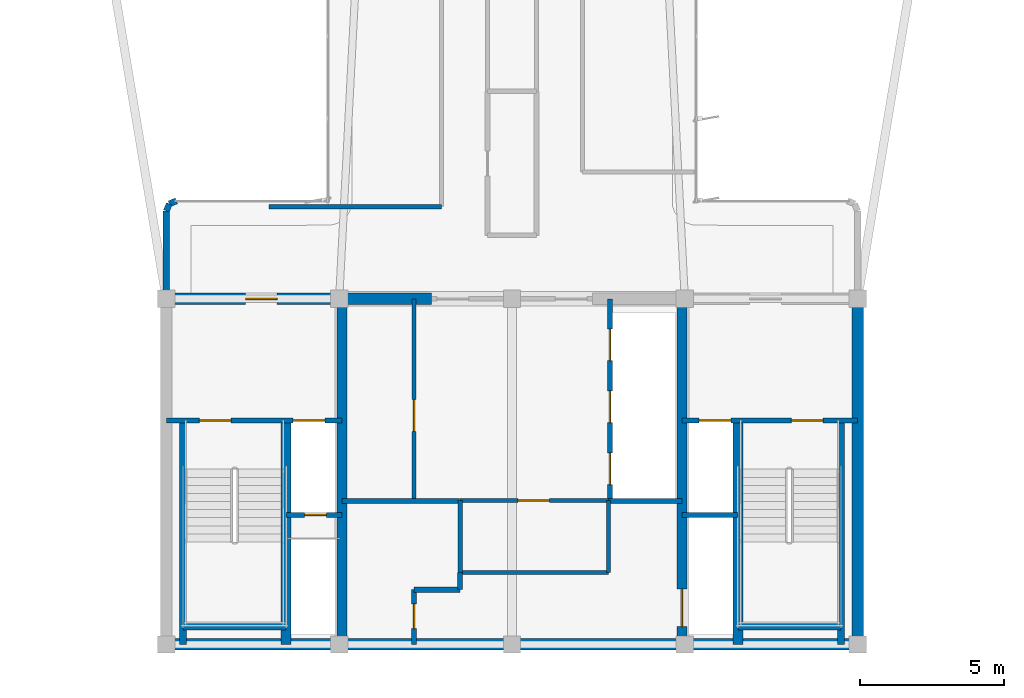
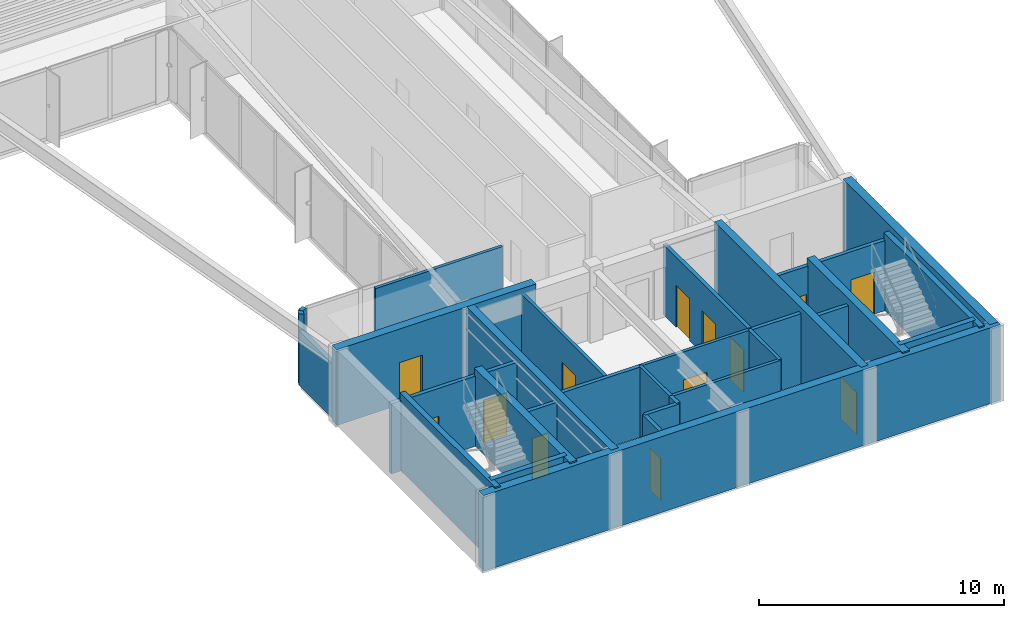
# One storey, part 10 of 16: 30 walls, 13 doors, 13 openings.
"""IFC4 building model written with IfcOpenShell, lengths in metres."""

from ifc_helpers import new_model, si_unit, direction, frame, frame_2d, origin, origin_2d, place, context, subcontext, project, spatial, rectangle, extrude, source, transform, mapped, material, layer, layer_set, type_object, element, fill, save


model = new_model("IFC4")

# Units and contexts
model_context = context("Model", 3, precision=1e-05, world=origin(), true_north=direction((0.0, 1.0)))
body_context = subcontext(model_context, "Body", "Model", "MODEL_VIEW")
ifc_project = project(units=[si_unit("LENGTHUNIT", "METRE"), si_unit("AREAUNIT", "SQUARE_METRE"), si_unit("VOLUMEUNIT", "CUBIC_METRE"), si_unit("PLANEANGLEUNIT", "RADIAN"), si_unit("MASSUNIT", "GRAM", prefix="KILO")], contexts=[model_context])

# Site, building, storey
site_placement = place(None, origin())
site = spatial("IfcSite", under=ifc_project, at=site_placement, CompositionType="ELEMENT")
building_placement = place(site_placement, origin())
building = spatial("IfcBuilding", under=site, at=building_placement, Name="Brelvock Crest Care Tower", CompositionType="ELEMENT")
storey_placement = place(building_placement, frame((0.0, 0.0, 230.580078125)))
storey = spatial("IfcBuildingStorey", under=building, at=storey_placement, Name="L58", CompositionType="ELEMENT", Elevation=230.580078125)

# Walls
ifc_material_1 = material(Name="Concrete S65 (65 MPa)", Category="concrete")
ifc_layer_1 = layer(ifc_material_1, 0.39990234375, Name="WL-CS4")
ifc_layer_set_1 = layer_set([ifc_layer_1], Name="Concrete S65 (65 MPa)")
wall_type_1 = type_object("IfcWallType", Name="WL-CS4", PredefinedType="SHEAR", material=ifc_layer_set_1)
wall_1_placement = place(storey_placement, frame((48.199951171875, 6.0, 0.0), z_axis=(0.0, 0.0, 1.0), x_axis=(-1.0, 0.0, 0.0)))
element("IfcWall", 1, at=wall_1_placement, inside=storey, type_object=wall_type_1, Name="L58 Core South Shear Wall", PredefinedType="SHEAR", context=body_context, shape_type="SweptSolid", body=[
    extrude(rectangle(XDim=24.39990234375, YDim=0.39990234375, at=frame_2d((12.199951171875, 0.0))), origin(), (0.0, 0.0, 1.0), 3.780029296875),
])
wall_2_placement = place(storey_placement, frame((48.0, 18.0, 0.0), z_axis=(0.0, 0.0, 1.0), x_axis=(0.0, -1.0, 0.0)))
element("IfcWall", 2, at=wall_2_placement, inside=storey, type_object=wall_type_1, Name="L58 Core East Shear Wall", PredefinedType="SHEAR", context=body_context, shape_type="SweptSolid", body=[
    extrude(rectangle(XDim=12.0, YDim=0.39990234375, at=frame_2d((6.0, 0.0))), origin(), (0.0, 0.0, 1.0), 3.780029296875),
])

# Wall, opening, door
wall_3_placement = place(storey_placement, frame((23.800048828125, 18.0, 0.0), z_axis=(0.0, 0.0, 1.0), x_axis=(1.0, 0.0, 0.0)))
wall_3 = element("IfcWall", 3, at=wall_3_placement, inside=storey, type_object=wall_type_1, Name="L58 Core North-West Shear Wall", PredefinedType="SHEAR", context=body_context, shape_type="SweptSolid", body=[
    extrude(rectangle(XDim=9.39990234375, YDim=0.39990234375, at=frame_2d((4.699951171875, 0.0))), origin(), (0.0, 0.0, 1.0), 3.780029296875),
])
opening_1_placement = place(wall_3_placement, frame((2.949951171875, 0.0, 0.0)))
opening_1 = element("IfcOpeningElement", 4, at=opening_1_placement, cuts=wall_3, Name="Opening FD-1", PredefinedType="OPENING", context=body_context, shape_type="SweptSolid", body=[
    extrude(rectangle(XDim=1.10009765625, YDim=2.10009765625, at=origin_2d()), frame((0.550048828125, 0.2099609375, 1.050048828125), z_axis=(0.0, -1.0, 0.0), x_axis=(1.0, 0.0, 0.0)), (0.0, 0.0, 1.0), 0.419921875),
])
ifc_material_2 = material(Name="Steel Grade 350", Category="steel")
door_type_1 = type_object("IfcDoorType", Name="DR-FFL1", OperationType="NOTDEFINED", PredefinedType="DOOR", material=ifc_material_2)
shared_shape_1 = source(origin(), body_context, "Body", "SweptSolid", [
    extrude(rectangle(XDim=1.10009765625, YDim=2.10009765625, at=origin_2d()), frame((0.550048828125, 0.02490234375, 1.050048828125), z_axis=(0.0, -1.0, 0.0), x_axis=(1.0, 0.0, 0.0)), (0.0, 0.0, 1.0), 0.050048828125),
])
door_1_placement = place(opening_1_placement, origin())
door_1 = element("IfcDoor", 5, at=door_1_placement, inside=storey, type_object=door_type_1, Name="L58 Firefighting Lobby FFL-1 Exit Door", OperationType="SINGLE_SWING_LEFT", OverallHeight=2.10009765625, OverallWidth=1.10009765625, PredefinedType="DOOR", context=body_context, shape_type="MappedRepresentation", body=[
    mapped(shared_shape_1, transform((0.0, 0.0, 0.0), x_axis=(1.0, 0.0, 0.0), y_axis=(0.0, 1.0, 0.0), z_axis=(0.0, 0.0, 1.0), scale=1.0)),
])
fill(opening_1, door_1)

# Wall
ifc_material_3 = material(Name="Concrete S80 (80 MPa)", Category="concrete")
ifc_layer_2 = layer(ifc_material_3, 0.35009765625, Name="WL-CS5")
ifc_layer_set_2 = layer_set([ifc_layer_2], Name="Concrete S80 (80 MPa)")
wall_type_2 = type_object("IfcWallType", Name="WL-CS5", PredefinedType="SHEAR", material=ifc_layer_set_2)
wall_4_placement = place(storey_placement, frame((30.10009765625, 6.0, 0.0), z_axis=(0.0, 0.0, 1.0), x_axis=(0.0, 1.0, 0.0)))
element("IfcWall", 6, at=wall_4_placement, inside=storey, type_object=wall_type_2, Name="L58 Core Internal Web Wall West", PredefinedType="SHEAR", context=body_context, shape_type="SweptSolid", body=[
    extrude(rectangle(XDim=12.0, YDim=0.35009765625, at=frame_2d((6.0, 0.0))), origin(), (0.0, 0.0, 1.0), 3.780029296875),
])

# Wall, opening, door
wall_5_placement = place(storey_placement, frame((41.89990234375, 18.0, 0.0), z_axis=(0.0, 0.0, 1.0), x_axis=(0.0, -1.0, 0.0)))
wall_5 = element("IfcWall", 7, at=wall_5_placement, inside=storey, type_object=wall_type_2, Name="L58 Core Internal Web Wall East", PredefinedType="SHEAR", context=body_context, shape_type="SweptSolid", body=[
    extrude(rectangle(XDim=12.0, YDim=0.35009765625, at=frame_2d((6.0, 0.0))), origin(), (0.0, 0.0, 1.0), 3.780029296875),
])
opening_2_placement = place(wall_5_placement, frame((10.080078125, 0.0, 0.0)))
opening_2 = element("IfcOpeningElement", 8, at=opening_2_placement, cuts=wall_5, Name="Opening LD-S", PredefinedType="OPENING", context=body_context, shape_type="SweptSolid", body=[
    extrude(rectangle(XDim=1.300048828125, YDim=2.10009765625, at=origin_2d()), frame((0.64990234375, 0.18505859375, 1.050048828125), z_axis=(0.0, -1.0, 0.0), x_axis=(1.0, 0.0, 0.0)), (0.0, 0.0, 1.0), 0.3701171875),
])
door_type_2 = type_object("IfcDoorType", Name="DR-LDS1", OperationType="NOTDEFINED", PredefinedType="DOOR", material=ifc_material_2)
shared_shape_2 = source(origin(), body_context, "Body", "SweptSolid", [
    extrude(rectangle(XDim=1.300048828125, YDim=2.10009765625, at=origin_2d()), frame((0.64990234375, 0.02490234375, 1.050048828125), z_axis=(0.0, -1.0, 0.0), x_axis=(1.0, 0.0, 0.0)), (0.0, 0.0, 1.0), 0.050048828125),
])
door_2_placement = place(opening_2_placement, origin())
door_2 = element("IfcDoor", 9, at=door_2_placement, inside=storey, type_object=door_type_2, Name="L58 Clinical Bed Lift SL-1 Landing Door", OperationType="SLIDING_TO_LEFT", OverallHeight=2.10009765625, OverallWidth=1.300048828125, PredefinedType="DOOR", context=body_context, shape_type="MappedRepresentation", body=[
    mapped(shared_shape_2, transform((0.0, 0.0, 0.0), x_axis=(1.0, 0.0, 0.0), y_axis=(0.0, 1.0, 0.0), z_axis=(0.0, 0.0, 1.0), scale=1.0)),
])
fill(opening_2, door_2)

# Walls
for number, where, z_axis, x_axis, name in (
    (10, (28.14990234375, 6.0, 0.0), (0.0, 0.0, 1.0), (0.0, 1.0, 0.0), "L58 Core Stair ST-1 East Shear Wall"),
    (11, (43.85009765625, 6.0, 0.0), (0.0, 0.0, 1.0), (0.0, 1.0, 0.0), "L58 Core Stair ST-2 West Shear Wall"),
):
    element("IfcWall", number, at=place(storey_placement, frame(where, z_axis=z_axis, x_axis=x_axis)), inside=storey, type_object=wall_type_2, Name=name, PredefinedType="SHEAR", context=body_context, shape_type="SweptSolid", body=[
        extrude(rectangle(XDim=7.780029296875, YDim=0.35009765625, at=frame_2d((3.89013671875, 0.0))), origin(), (0.0, 0.0, 1.0), 3.849853515625),
    ])
ifc_layer_3 = layer(ifc_material_3, 0.25, Name="WL-CS6")
ifc_layer_set_3 = layer_set([ifc_layer_3], Name="Concrete S80 (80 MPa)")
wall_type_3 = type_object("IfcWallType", Name="WL-CS6", PredefinedType="SHEAR", material=ifc_layer_set_3)
wall_6_placement = place(storey_placement, frame((24.580078125, 6.0, 0.0), z_axis=(0.0, 0.0, 1.0), x_axis=(0.0, 1.0, 0.0)))
element("IfcWall", 12, at=wall_6_placement, inside=storey, type_object=wall_type_3, Name="L58 Core Stair ST-1 West Shear Wall", PredefinedType="SHEAR", context=body_context, shape_type="SweptSolid", body=[
    extrude(rectangle(XDim=7.780029296875, YDim=0.25, at=frame_2d((3.89013671875, 0.0))), origin(), (0.0, 0.0, 1.0), 3.849853515625),
])
wall_7_placement = place(storey_placement, frame((24.580078125, 6.6201171875, 0.0), z_axis=(0.0, 0.0, 1.0), x_axis=(1.0, 0.0, 0.0)))
element("IfcWall", 13, at=wall_7_placement, inside=storey, type_object=wall_type_3, Name="L58 Core Stair ST-1 South Shear Wall", PredefinedType="SHEAR", context=body_context, shape_type="SweptSolid", body=[
    extrude(rectangle(XDim=3.56982421875, YDim=0.25, at=frame_2d((1.784912109375, 0.0))), origin(), (0.0, 0.0, 1.0), 3.849853515625),
])
wall_8_placement = place(storey_placement, frame((47.419921875, 6.0, 0.0), z_axis=(0.0, 0.0, 1.0), x_axis=(0.0, 1.0, 0.0)))
element("IfcWall", 14, at=wall_8_placement, inside=storey, type_object=wall_type_3, Name="L58 Core Stair ST-2 East Shear Wall", PredefinedType="SHEAR", context=body_context, shape_type="SweptSolid", body=[
    extrude(rectangle(XDim=7.780029296875, YDim=0.25, at=frame_2d((3.89013671875, 0.0))), origin(), (0.0, 0.0, 1.0), 3.849853515625),
])
wall_9_placement = place(storey_placement, frame((43.85009765625, 6.6201171875, 0.0), z_axis=(0.0, 0.0, 1.0), x_axis=(1.0, 0.0, 0.0)))
element("IfcWall", 15, at=wall_9_placement, inside=storey, type_object=wall_type_3, Name="L58 Core Stair ST-2 South Shear Wall", PredefinedType="SHEAR", context=body_context, shape_type="SweptSolid", body=[
    extrude(rectangle(XDim=3.56982421875, YDim=0.25, at=frame_2d((1.784912109375, 0.0))), origin(), (0.0, 0.0, 1.0), 3.849853515625),
])
ifc_material_4 = material(Name="Precast concrete N40 (40 MPa)", Category="concrete")
ifc_layer_4 = layer(ifc_material_4, 0.215087890625, Name="WL-EX2")
ifc_layer_set_4 = layer_set([ifc_layer_4], Name="Precast concrete N40 (40 MPa)")
wall_type_4 = type_object("IfcWallType", Name="WL-EX2", PredefinedType="SOLIDWALL", material=ifc_layer_set_4)
wall_10_placement = place(storey_placement, frame((24.0, 18.280029296875, 0.0), z_axis=(0.0, 0.0, 1.0), x_axis=(0.0, 1.0, 0.0)))
element("IfcWall", 16, at=wall_10_placement, inside=storey, type_object=wall_type_4, Name="L58 Rounded Corner Wall 07", PredefinedType="SOLIDWALL", context=body_context, shape_type="SweptSolid", body=[
    extrude(rectangle(XDim=2.77001953125, YDim=0.215087890625, at=frame_2d((1.385009765625, 0.0))), origin(), (0.0, 0.0, 1.0), 2.718017578125),
])
wall_11_placement = place(storey_placement, frame((24.0, 21.050048828125, 0.0), z_axis=(0.0, 0.0, 1.0), x_axis=(0.382673670509, 0.923883575944, 0.0)))
element("IfcWall", 17, at=wall_11_placement, inside=storey, type_object=wall_type_4, Name="L58 Rounded Corner Wall 08", PredefinedType="SOLIDWALL", context=body_context, shape_type="SweptSolid", body=[
    extrude(rectangle(XDim=0.26806640625, YDim=0.215087890625, at=frame_2d((0.134033203125, 0.0))), origin(), (0.0, 0.0, 1.0), 3.530029296875),
])
wall_12_placement = place(storey_placement, frame((24.1025390625, 21.297607421875, 0.0), z_axis=(0.0, 0.0, 1.0), x_axis=(0.924205486139, 0.381895560841, 0.0)))
element("IfcWall", 18, at=wall_12_placement, inside=storey, type_object=wall_type_4, Name="L58 Rounded Corner Wall 09", PredefinedType="SOLIDWALL", context=body_context, shape_type="SweptSolid", body=[
    extrude(rectangle(XDim=0.267822265625, YDim=0.215087890625, at=frame_2d((0.1337890625, 0.0))), origin(), (0.0, 0.0, 1.0), 3.530029296875),
])

# Wall, opening, door
ifc_material_5 = material(Name="Masonry Blockwork Acoustic Partition", Category="masonry")
ifc_layer_5 = layer(ifc_material_5, 0.14990234375, Name="WL-INT1")
ifc_layer_set_5 = layer_set([ifc_layer_5], Name="Masonry Blockwork Acoustic Partition")
wall_type_5 = type_object("IfcWallType", Name="WL-INT1", PredefinedType="PARTITIONING", material=ifc_layer_set_5)
wall_13_placement = place(storey_placement, frame((32.60009765625, 11.0, 0.0), z_axis=(0.0, 0.0, 1.0), x_axis=(0.0, 1.0, 0.0)))
wall_13 = element("IfcWall", 19, at=wall_13_placement, inside=storey, type_object=wall_type_5, Name="L58 Interior Wall WL-CRCL-E-L58", PredefinedType="PARTITIONING", context=body_context, shape_type="SweptSolid", body=[
    extrude(rectangle(XDim=7.0, YDim=0.14990234375, at=frame_2d((3.5, 0.0))), origin(), (0.0, 0.0, 1.0), 3.5),
])
opening_3_placement = place(wall_13_placement, frame((2.39990234375, 0.0, 0.0)))
opening_3 = element("IfcOpeningElement", 20, at=opening_3_placement, cuts=wall_13, Name="Opening PD-1", PredefinedType="OPENING", context=body_context, shape_type="SweptSolid", body=[
    extrude(rectangle(XDim=1.10009765625, YDim=2.10009765625, at=origin_2d()), frame((0.550048828125, 0.0849609375, 1.050048828125), z_axis=(0.0, -1.0, 0.0), x_axis=(1.0, 0.0, 0.0)), (0.0, 0.0, 1.0), 0.169921875),
])
door_type_3 = type_object("IfcDoorType", Name="DR-PLT1", OperationType="NOTDEFINED", PredefinedType="DOOR", material=ifc_material_2)
shared_shape_3 = source(origin(), body_context, "Body", "SweptSolid", [
    extrude(rectangle(XDim=1.10009765625, YDim=2.10009765625, at=origin_2d()), frame((0.550048828125, 0.02490234375, 1.050048828125), z_axis=(0.0, -1.0, 0.0), x_axis=(1.0, 0.0, 0.0)), (0.0, 0.0, 1.0), 0.050048828125),
])
door_3_placement = place(opening_3_placement, origin())
door_3 = element("IfcDoor", 21, at=door_3_placement, inside=storey, type_object=door_type_3, Name="DR-CRCL1-L58", OperationType="SINGLE_SWING_LEFT", OverallHeight=2.10009765625, OverallWidth=1.10009765625, PredefinedType="DOOR", context=body_context, shape_type="MappedRepresentation", body=[
    mapped(shared_shape_3, transform((0.0, 0.0, 0.0), x_axis=(1.0, 0.0, 0.0), y_axis=(0.0, 1.0, 0.0), z_axis=(0.0, 0.0, 1.0), scale=1.0)),
])
fill(opening_3, door_3)

# Walls
wall_14_placement = place(storey_placement, frame((34.199951171875, 8.5, 0.0), z_axis=(0.0, 0.0, 1.0), x_axis=(1.0, 0.0, 0.0)))
element("IfcWall", 22, at=wall_14_placement, inside=storey, type_object=wall_type_5, Name="L58 Interior Wall WL-CRCM-S-L58", PredefinedType="PARTITIONING", context=body_context, shape_type="SweptSolid", body=[
    extrude(rectangle(XDim=5.150146484375, YDim=0.14990234375, at=frame_2d((2.5751953125, 0.0))), origin(), (0.0, 0.0, 1.0), 3.5),
])
for number, where, z_axis, x_axis, name in (
    (23, (34.199951171875, 8.5, 0.0), (0.0, 0.0, 1.0), (0.0, 1.0, 0.0), "L58 Interior Wall WL-CRCM-W-L58"),
    (24, (39.35009765625, 8.5, 0.0), (0.0, 0.0, 1.0), (0.0, 1.0, 0.0), "L58 Interior Wall WL-CRCM-E-L58"),
):
    element("IfcWall", number, at=place(storey_placement, frame(where, z_axis=z_axis, x_axis=x_axis)), inside=storey, type_object=wall_type_5, Name=name, PredefinedType="PARTITIONING", context=body_context, shape_type="SweptSolid", body=[
        extrude(rectangle(XDim=2.5, YDim=0.14990234375, at=frame_2d((1.25, 0.0))), origin(), (0.0, 0.0, 1.0), 3.5),
    ])

# Wall, opening, door
wall_15_placement = place(storey_placement, frame((34.199951171875, 11.0, 0.0), z_axis=(0.0, 0.0, 1.0), x_axis=(1.0, 0.0, 0.0)))
wall_15 = element("IfcWall", 25, at=wall_15_placement, inside=storey, type_object=wall_type_5, Name="L58 Interior Wall WL-CRCM-N-L58", PredefinedType="PARTITIONING", context=body_context, shape_type="SweptSolid", body=[
    extrude(rectangle(XDim=5.150146484375, YDim=0.14990234375, at=frame_2d((2.5751953125, 0.0))), origin(), (0.0, 0.0, 1.0), 3.5),
])
opening_4_placement = place(wall_15_placement, frame((2.0, 0.0, 0.0)))
opening_4 = element("IfcOpeningElement", 26, at=opening_4_placement, cuts=wall_15, Name="Opening PD-1", PredefinedType="OPENING", context=body_context, shape_type="SweptSolid", body=[
    extrude(rectangle(XDim=1.10009765625, YDim=2.10009765625, at=origin_2d()), frame((0.550048828125, 0.0849609375, 1.050048828125), z_axis=(0.0, -1.0, 0.0), x_axis=(1.0, 0.0, 0.0)), (0.0, 0.0, 1.0), 0.169921875),
])
door_4_placement = place(opening_4_placement, origin())
door_4 = element("IfcDoor", 27, at=door_4_placement, inside=storey, type_object=door_type_3, Name="DR-CRCM1-L58", OperationType="SINGLE_SWING_LEFT", OverallHeight=2.10009765625, OverallWidth=1.10009765625, PredefinedType="DOOR", context=body_context, shape_type="MappedRepresentation", body=[
    mapped(shared_shape_3, transform((0.0, 0.0, 0.0), x_axis=(1.0, 0.0, 0.0), y_axis=(0.0, 1.0, 0.0), z_axis=(0.0, 0.0, 1.0), scale=1.0)),
])
fill(opening_4, door_4)

# Walls
wall_16_placement = place(storey_placement, frame((27.5576171875, 21.199951171875, 0.0), z_axis=(0.0, 0.0, 1.0), x_axis=(1.0, 0.0, 0.0)))
element("IfcWall", 28, at=wall_16_placement, inside=storey, type_object=wall_type_5, Name="L58 Interior Wall WL-BX-L58-THRW-S", PredefinedType="PARTITIONING", context=body_context, shape_type="SweptSolid", body=[
    extrude(rectangle(XDim=5.992431640625, YDim=0.14990234375, at=frame_2d((2.99609375, 0.0))), origin(), (0.0, 0.0, 1.0), 3.5),
])
ifc_layer_6 = layer(ifc_material_5, 0.179931640625, Name="WL-SHF1")
ifc_layer_set_6 = layer_set([ifc_layer_6], Name="Masonry Blockwork Acoustic Partition")
wall_type_6 = type_object("IfcWallType", Name="WL-SHF1", PredefinedType="PARTITIONING", material=ifc_layer_set_6)
wall_17_placement = place(storey_placement, frame((30.10009765625, 10.97998046875, 0.0), z_axis=(0.0, 0.0, 1.0), x_axis=(1.0, 0.0, 0.0)))
element("IfcWall", 29, at=wall_17_placement, inside=storey, type_object=wall_type_6, Name="L58 Interior Wall WL-CSBW-N-L58", PredefinedType="PARTITIONING", context=body_context, shape_type="SweptSolid", body=[
    extrude(rectangle(XDim=4.079833984375, YDim=0.179931640625, at=frame_2d((2.0400390625, 0.0))), origin(), (0.0, 0.0, 1.0), 3.5),
])
wall_18_placement = place(storey_placement, frame((34.199951171875, 7.89990234375, 0.0), z_axis=(0.0, 0.0, 1.0), x_axis=(0.0, 1.0, 0.0)))
element("IfcWall", 30, at=wall_18_placement, inside=storey, type_object=wall_type_6, Name="L58 Interior Wall WL-CSBW-E2-L58", PredefinedType="PARTITIONING", context=body_context, shape_type="SweptSolid", body=[
    extrude(rectangle(XDim=0.60009765625, YDim=0.179931640625, at=frame_2d((0.300048828125, 0.0))), origin(), (0.0, 0.0, 1.0), 3.5),
])
wall_19_placement = place(storey_placement, frame((32.60009765625, 7.89990234375, 0.0), z_axis=(0.0, 0.0, 1.0), x_axis=(1.0, 0.0, 0.0)))
element("IfcWall", 31, at=wall_19_placement, inside=storey, type_object=wall_type_6, Name="L58 Interior Wall WL-CSBW-S2-L58", PredefinedType="PARTITIONING", context=body_context, shape_type="SweptSolid", body=[
    extrude(rectangle(XDim=1.599853515625, YDim=0.179931640625, at=frame_2d((0.7998046875, 0.0))), origin(), (0.0, 0.0, 1.0), 3.5),
])

# Wall, opening, door
wall_20_placement = place(storey_placement, frame((32.60009765625, 6.0, 0.0), z_axis=(0.0, 0.0, 1.0), x_axis=(0.0, 1.0, 0.0)))
wall_20 = element("IfcWall", 32, at=wall_20_placement, inside=storey, type_object=wall_type_6, Name="L58 Interior Wall WL-CSBW-E1-L58", PredefinedType="PARTITIONING", context=body_context, shape_type="SweptSolid", body=[
    extrude(rectangle(XDim=1.89990234375, YDim=0.179931640625, at=frame_2d((0.949951171875, 0.0))), origin(), (0.0, 0.0, 1.0), 3.5),
])
opening_5_placement = place(wall_20_placement, frame((0.550048828125, 0.0, 0.0)))
opening_5 = element("IfcOpeningElement", 33, at=opening_5_placement, cuts=wall_20, Name="Opening ID-1", PredefinedType="OPENING", context=body_context, shape_type="SweptSolid", body=[
    extrude(rectangle(XDim=0.860107421875, YDim=2.10009765625, at=origin_2d()), frame((0.43017578125, 0.10009765625, 1.050048828125), z_axis=(0.0, -1.0, 0.0), x_axis=(1.0, 0.0, 0.0)), (0.0, 0.0, 1.0), 0.199951171875),
])
ifc_material_6 = material(Name="Engineered Hardwood Timber", Category="wood")
door_type_4 = type_object("IfcDoorType", Name="DR-INT1", OperationType="NOTDEFINED", PredefinedType="DOOR", material=ifc_material_6)
shared_shape_4 = source(origin(), body_context, "Body", "SweptSolid", [
    extrude(rectangle(XDim=0.860107421875, YDim=2.10009765625, at=origin_2d()), frame((0.43017578125, 0.02490234375, 1.050048828125), z_axis=(0.0, -1.0, 0.0), x_axis=(1.0, 0.0, 0.0)), (0.0, 0.0, 1.0), 0.050048828125),
])
door_5_placement = place(opening_5_placement, origin())
door_5 = element("IfcDoor", 34, at=door_5_placement, inside=storey, type_object=door_type_4, Name="DR-CSBW-L58", OperationType="SINGLE_SWING_LEFT", OverallHeight=2.10009765625, OverallWidth=0.860107421875, PredefinedType="DOOR", context=body_context, shape_type="MappedRepresentation", body=[
    mapped(shared_shape_4, transform((0.0, 0.0, 0.0), x_axis=(1.0, 0.0, 0.0), y_axis=(0.0, 1.0, 0.0), z_axis=(0.0, 0.0, 1.0), scale=1.0)),
])
fill(opening_5, door_5)

# Wall
wall_21_placement = place(storey_placement, frame((39.35009765625, 10.97998046875, 0.0), z_axis=(0.0, 0.0, 1.0), x_axis=(1.0, 0.0, 0.0)))
element("IfcWall", 35, at=wall_21_placement, inside=storey, type_object=wall_type_6, Name="L58 Interior Wall WL-CSBE-N-L58", PredefinedType="PARTITIONING", context=body_context, shape_type="SweptSolid", body=[
    extrude(rectangle(XDim=2.5498046875, YDim=0.179931640625, at=frame_2d((1.27490234375, 0.0))), origin(), (0.0, 0.0, 1.0), 3.5),
])

# Wall, openings, doors
wall_22_placement = place(storey_placement, frame((24.0, 13.780029296875, 0.0), z_axis=(0.0, 0.0, 1.0), x_axis=(1.0, 0.0, 0.0)))
wall_22 = element("IfcWall", 36, at=wall_22_placement, inside=storey, type_object=wall_type_6, Name="L58 Interior Wall WL-ST1-N-L58", PredefinedType="PARTITIONING", context=body_context, shape_type="SweptSolid", body=[
    extrude(rectangle(XDim=6.10009765625, YDim=0.179931640625, at=frame_2d((3.050048828125, 0.0))), origin(), (0.0, 0.0, 1.0), 3.5),
])
opening_6_placement = place(wall_22_placement, frame((1.14990234375, 0.0, 0.0)))
opening_6 = element("IfcOpeningElement", 37, at=opening_6_placement, cuts=wall_22, Name="Opening SD-1", PredefinedType="OPENING", context=body_context, shape_type="SweptSolid", body=[
    extrude(rectangle(XDim=1.10009765625, YDim=2.10009765625, at=origin_2d()), frame((0.550048828125, 0.10009765625, 1.050048828125), z_axis=(0.0, -1.0, 0.0), x_axis=(1.0, 0.0, 0.0)), (0.0, 0.0, 1.0), 0.199951171875),
])
opening_7_placement = place(wall_22_placement, frame((4.39990234375, 0.0, 0.0)))
opening_7 = element("IfcOpeningElement", 38, at=opening_7_placement, cuts=wall_22, Name="Opening LD", PredefinedType="OPENING", context=body_context, shape_type="SweptSolid", body=[
    extrude(rectangle(XDim=1.10009765625, YDim=2.10009765625, at=origin_2d()), frame((0.550048828125, 0.10009765625, 1.050048828125), z_axis=(0.0, -1.0, 0.0), x_axis=(1.0, 0.0, 0.0)), (0.0, 0.0, 1.0), 0.199951171875),
])
door_type_5 = type_object("IfcDoorType", Name="DR-ST1", OperationType="NOTDEFINED", PredefinedType="DOOR", material=ifc_material_2)
shared_shape_5 = source(origin(), body_context, "Body", "SweptSolid", [
    extrude(rectangle(XDim=1.10009765625, YDim=2.10009765625, at=origin_2d()), frame((0.550048828125, 0.02490234375, 1.050048828125), z_axis=(0.0, -1.0, 0.0), x_axis=(1.0, 0.0, 0.0)), (0.0, 0.0, 1.0), 0.050048828125),
])
door_6_placement = place(opening_6_placement, origin())
door_6 = element("IfcDoor", 39, at=door_6_placement, inside=storey, type_object=door_type_5, Name="L58 Fire Stair ST-1 Door", OperationType="SINGLE_SWING_LEFT", OverallHeight=2.10009765625, OverallWidth=1.10009765625, PredefinedType="DOOR", context=body_context, shape_type="MappedRepresentation", body=[
    mapped(shared_shape_5, transform((0.0, 0.0, 0.0), x_axis=(1.0, 0.0, 0.0), y_axis=(0.0, 1.0, 0.0), z_axis=(0.0, 0.0, 1.0), scale=1.0)),
])
fill(opening_6, door_6)
door_type_6 = type_object("IfcDoorType", Name="DR-LD1", OperationType="NOTDEFINED", PredefinedType="DOOR", material=ifc_material_2)
shared_shape_6 = source(origin(), body_context, "Body", "SweptSolid", [
    extrude(rectangle(XDim=1.10009765625, YDim=2.10009765625, at=origin_2d()), frame((0.550048828125, 0.02490234375, 1.050048828125), z_axis=(0.0, -1.0, 0.0), x_axis=(1.0, 0.0, 0.0)), (0.0, 0.0, 1.0), 0.050048828125),
])
door_7_placement = place(opening_7_placement, origin())
door_7 = element("IfcDoor", 40, at=door_7_placement, inside=storey, type_object=door_type_6, Name="L58 Firefighting Lift FFL-1 Landing Door", OperationType="SLIDING_TO_LEFT", OverallHeight=2.10009765625, OverallWidth=1.10009765625, PredefinedType="DOOR", context=body_context, shape_type="MappedRepresentation", body=[
    mapped(shared_shape_6, transform((0.0, 0.0, 0.0), x_axis=(1.0, 0.0, 0.0), y_axis=(0.0, 1.0, 0.0), z_axis=(0.0, 0.0, 1.0), scale=1.0)),
])
fill(opening_7, door_7)

# Wall, opening, door
wall_23_placement = place(storey_placement, frame((28.14990234375, 10.5, 0.0), z_axis=(0.0, 0.0, 1.0), x_axis=(1.0, 0.0, 0.0)))
wall_23 = element("IfcWall", 41, at=wall_23_placement, inside=storey, type_object=wall_type_6, Name="L58 Interior Wall WL-FFH1-S-L58", PredefinedType="PARTITIONING", context=body_context, shape_type="SweptSolid", body=[
    extrude(rectangle(XDim=1.9501953125, YDim=0.179931640625, at=frame_2d((0.97509765625, 0.0))), origin(), (0.0, 0.0, 1.0), 3.5),
])
opening_8_placement = place(wall_23_placement, frame((0.64990234375, 0.0, 0.0)))
opening_8 = element("IfcOpeningElement", 42, at=opening_8_placement, cuts=wall_23, Name="Opening RD-1", PredefinedType="OPENING", context=body_context, shape_type="SweptSolid", body=[
    extrude(rectangle(XDim=0.760009765625, YDim=2.050048828125, at=origin_2d()), frame((0.3798828125, 0.10009765625, 1.02490234375), z_axis=(0.0, -1.0, 0.0), x_axis=(1.0, 0.0, 0.0)), (0.0, 0.0, 1.0), 0.199951171875),
])
door_type_7 = type_object("IfcDoorType", Name="DR-RIS1", OperationType="NOTDEFINED", PredefinedType="DOOR", material=ifc_material_2)
shared_shape_7 = source(origin(), body_context, "Body", "SweptSolid", [
    extrude(rectangle(XDim=0.760009765625, YDim=2.050048828125, at=origin_2d()), frame((0.3798828125, 0.02490234375, 1.02490234375), z_axis=(0.0, -1.0, 0.0), x_axis=(1.0, 0.0, 0.0)), (0.0, 0.0, 1.0), 0.050048828125),
])
door_8_placement = place(opening_8_placement, origin())
door_8 = element("IfcDoor", 43, at=door_8_placement, inside=storey, type_object=door_type_7, Name="L58 Wet Fire Riser Access Door", OperationType="SINGLE_SWING_LEFT", OverallHeight=2.050048828125, OverallWidth=0.760009765625, PredefinedType="DOOR", context=body_context, shape_type="MappedRepresentation", body=[
    mapped(shared_shape_7, transform((0.0, 0.0, 0.0), x_axis=(1.0, 0.0, 0.0), y_axis=(0.0, 1.0, 0.0), z_axis=(0.0, 0.0, 1.0), scale=1.0)),
])
fill(opening_8, door_8)

# Wall, openings, doors
wall_24_placement = place(storey_placement, frame((41.89990234375, 13.780029296875, 0.0), z_axis=(0.0, 0.0, 1.0), x_axis=(1.0, 0.0, 0.0)))
wall_24 = element("IfcWall", 44, at=wall_24_placement, inside=storey, type_object=wall_type_6, Name="L58 Interior Wall WL-ST2-N-L58", PredefinedType="PARTITIONING", context=body_context, shape_type="SweptSolid", body=[
    extrude(rectangle(XDim=6.10009765625, YDim=0.179931640625, at=frame_2d((3.050048828125, 0.0))), origin(), (0.0, 0.0, 1.0), 3.5),
])
opening_9_placement = place(wall_24_placement, frame((0.60009765625, 0.0, 0.0)))
opening_9 = element("IfcOpeningElement", 45, at=opening_9_placement, cuts=wall_24, Name="Opening LD", PredefinedType="OPENING", context=body_context, shape_type="SweptSolid", body=[
    extrude(rectangle(XDim=1.10009765625, YDim=2.10009765625, at=origin_2d()), frame((0.550048828125, 0.10009765625, 1.050048828125), z_axis=(0.0, -1.0, 0.0), x_axis=(1.0, 0.0, 0.0)), (0.0, 0.0, 1.0), 0.199951171875),
])
opening_10_placement = place(wall_24_placement, frame((3.800048828125, 0.0, 0.0)))
opening_10 = element("IfcOpeningElement", 46, at=opening_10_placement, cuts=wall_24, Name="Opening SD-1", PredefinedType="OPENING", context=body_context, shape_type="SweptSolid", body=[
    extrude(rectangle(XDim=1.10009765625, YDim=2.10009765625, at=origin_2d()), frame((0.550048828125, 0.10009765625, 1.050048828125), z_axis=(0.0, -1.0, 0.0), x_axis=(1.0, 0.0, 0.0)), (0.0, 0.0, 1.0), 0.199951171875),
])
door_9_placement = place(opening_10_placement, origin())
door_9 = element("IfcDoor", 47, at=door_9_placement, inside=storey, type_object=door_type_5, Name="L58 Fire Stair ST-2 Door", OperationType="SINGLE_SWING_RIGHT", OverallHeight=2.10009765625, OverallWidth=1.10009765625, PredefinedType="DOOR", context=body_context, shape_type="MappedRepresentation", body=[
    mapped(shared_shape_5, transform((0.0, 0.0, 0.0), x_axis=(1.0, 0.0, 0.0), y_axis=(0.0, 1.0, 0.0), z_axis=(0.0, 0.0, 1.0), scale=1.0)),
])
fill(opening_10, door_9)
door_10_placement = place(opening_9_placement, origin())
door_10 = element("IfcDoor", 48, at=door_10_placement, inside=storey, type_object=door_type_6, Name="L58 Firefighting Lift FFL-2 Landing Door", OperationType="SLIDING_TO_RIGHT", OverallHeight=2.10009765625, OverallWidth=1.10009765625, PredefinedType="DOOR", context=body_context, shape_type="MappedRepresentation", body=[
    mapped(shared_shape_6, transform((0.0, 0.0, 0.0), x_axis=(1.0, 0.0, 0.0), y_axis=(0.0, 1.0, 0.0), z_axis=(0.0, 0.0, 1.0), scale=1.0)),
])
fill(opening_9, door_10)

# Wall
wall_25_placement = place(storey_placement, frame((41.89990234375, 10.5, 0.0), z_axis=(0.0, 0.0, 1.0), x_axis=(1.0, 0.0, 0.0)))
element("IfcWall", 49, at=wall_25_placement, inside=storey, type_object=wall_type_6, Name="L58 Interior Wall WL-FFH2-S-L58", PredefinedType="PARTITIONING", context=body_context, shape_type="SweptSolid", body=[
    extrude(rectangle(XDim=1.9501953125, YDim=0.179931640625, at=frame_2d((0.97509765625, 0.0))), origin(), (0.0, 0.0, 1.0), 3.5),
])

# Wall, openings, doors
wall_26_placement = place(storey_placement, frame((39.39990234375, 11.0, 0.0), z_axis=(0.0, 0.0, 1.0), x_axis=(0.0, 1.0, 0.0)))
wall_26 = element("IfcWall", 50, at=wall_26_placement, inside=storey, type_object=wall_type_6, Name="L58 Interior Wall WL-PLH-BANK-L58", PredefinedType="PARTITIONING", context=body_context, shape_type="SweptSolid", body=[
    extrude(rectangle(XDim=7.0, YDim=0.179931640625, at=frame_2d((3.5, 0.0))), origin(), (0.0, 0.0, 1.0), 3.5),
])
opening_11_placement = place(wall_26_placement, frame((0.550048828125, 0.0, 0.0)))
opening_11 = element("IfcOpeningElement", 51, at=opening_11_placement, cuts=wall_26, Name="Opening LD", PredefinedType="OPENING", context=body_context, shape_type="SweptSolid", body=[
    extrude(rectangle(XDim=1.10009765625, YDim=2.10009765625, at=origin_2d()), frame((0.550048828125, 0.10009765625, 1.050048828125), z_axis=(0.0, -1.0, 0.0), x_axis=(1.0, 0.0, 0.0)), (0.0, 0.0, 1.0), 0.199951171875),
])
opening_12_placement = place(wall_26_placement, frame((2.699951171875, 0.0, 0.0)))
opening_12 = element("IfcOpeningElement", 52, at=opening_12_placement, cuts=wall_26, Name="Opening LD", PredefinedType="OPENING", context=body_context, shape_type="SweptSolid", body=[
    extrude(rectangle(XDim=1.10009765625, YDim=2.10009765625, at=origin_2d()), frame((0.550048828125, 0.10009765625, 1.050048828125), z_axis=(0.0, -1.0, 0.0), x_axis=(1.0, 0.0, 0.0)), (0.0, 0.0, 1.0), 0.199951171875),
])
opening_13_placement = place(wall_26_placement, frame((4.85009765625, 0.0, 0.0)))
opening_13 = element("IfcOpeningElement", 53, at=opening_13_placement, cuts=wall_26, Name="Opening LD", PredefinedType="OPENING", context=body_context, shape_type="SweptSolid", body=[
    extrude(rectangle(XDim=1.10009765625, YDim=2.10009765625, at=origin_2d()), frame((0.550048828125, 0.10009765625, 1.050048828125), z_axis=(0.0, -1.0, 0.0), x_axis=(1.0, 0.0, 0.0)), (0.0, 0.0, 1.0), 0.199951171875),
])
door_11_placement = place(opening_11_placement, origin())
door_11 = element("IfcDoor", 54, at=door_11_placement, inside=storey, type_object=door_type_6, Name="L58 Lift PL-H1 Landing Door", OperationType="SLIDING_TO_RIGHT", OverallHeight=2.10009765625, OverallWidth=1.10009765625, PredefinedType="DOOR", context=body_context, shape_type="MappedRepresentation", body=[
    mapped(shared_shape_6, transform((0.0, 0.0, 0.0), x_axis=(1.0, 0.0, 0.0), y_axis=(0.0, 1.0, 0.0), z_axis=(0.0, 0.0, 1.0), scale=1.0)),
])
fill(opening_11, door_11)
door_12_placement = place(opening_12_placement, origin())
door_12 = element("IfcDoor", 55, at=door_12_placement, inside=storey, type_object=door_type_6, Name="L58 Lift PL-H2 Landing Door", OperationType="SLIDING_TO_RIGHT", OverallHeight=2.10009765625, OverallWidth=1.10009765625, PredefinedType="DOOR", context=body_context, shape_type="MappedRepresentation", body=[
    mapped(shared_shape_6, transform((0.0, 0.0, 0.0), x_axis=(1.0, 0.0, 0.0), y_axis=(0.0, 1.0, 0.0), z_axis=(0.0, 0.0, 1.0), scale=1.0)),
])
fill(opening_12, door_12)
door_13_placement = place(opening_13_placement, origin())
door_13 = element("IfcDoor", 56, at=door_13_placement, inside=storey, type_object=door_type_6, Name="L58 Lift PL-H3 Landing Door", OperationType="SLIDING_TO_RIGHT", OverallHeight=2.10009765625, OverallWidth=1.10009765625, PredefinedType="DOOR", context=body_context, shape_type="MappedRepresentation", body=[
    mapped(shared_shape_6, transform((0.0, 0.0, 0.0), x_axis=(1.0, 0.0, 0.0), y_axis=(0.0, 1.0, 0.0), z_axis=(0.0, 0.0, 1.0), scale=1.0)),
])
fill(opening_13, door_13)

save(model, "model.ifc")
